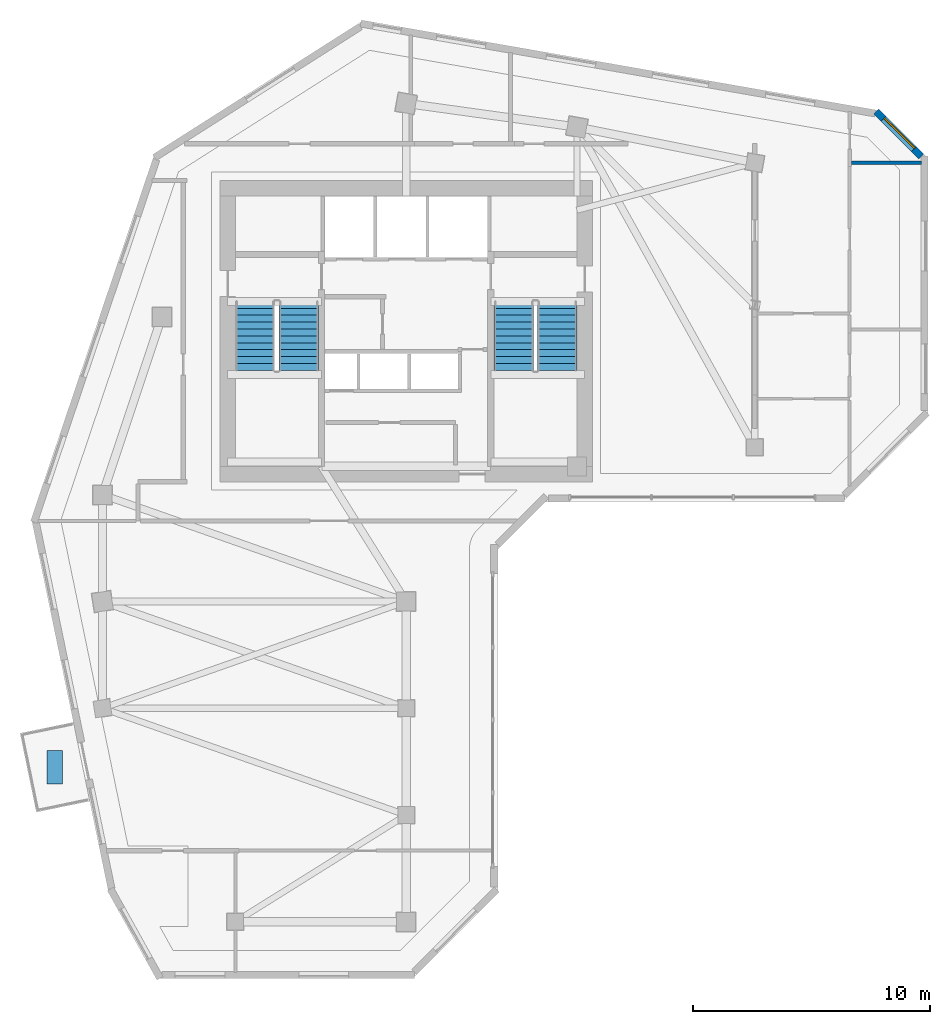
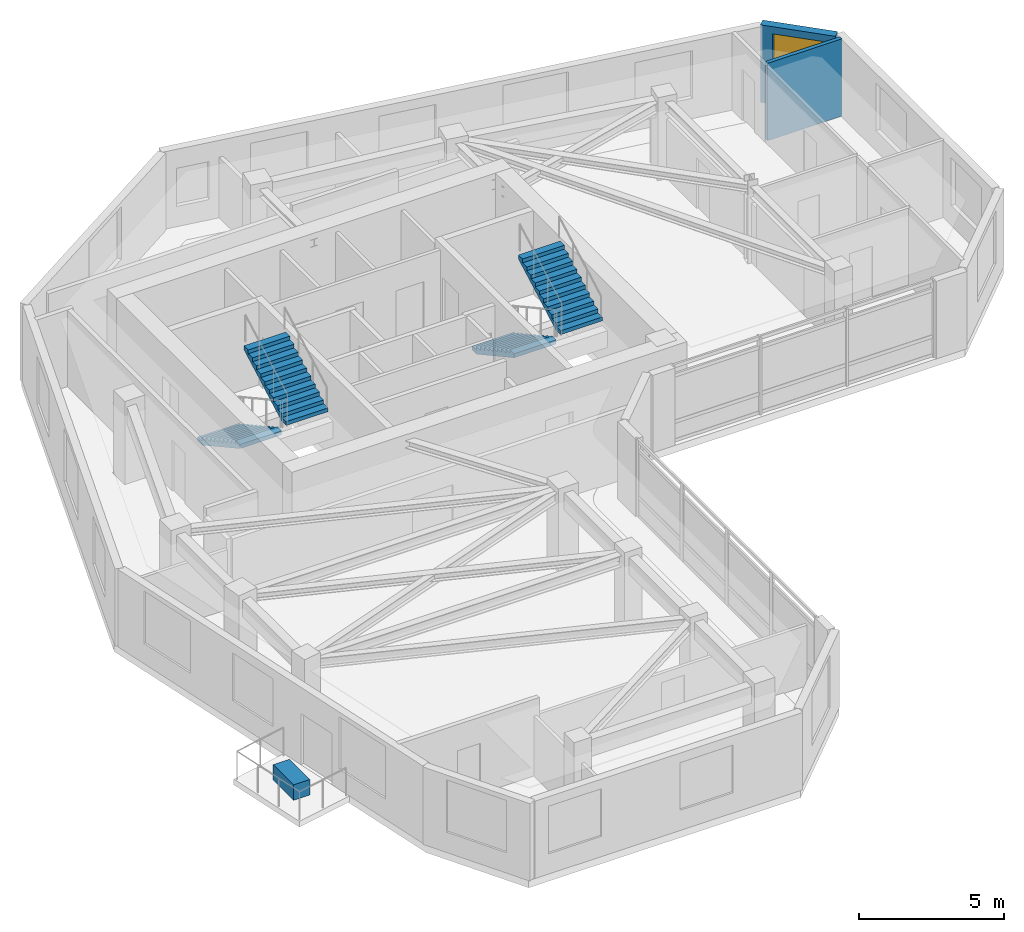
# One storey, part 6 of 9: 4 stair flights, 2 walls, 1 discrete accessory, 1 window, 1 opening, 2 elements without a shape of their own.
"""IFC4 building model written with IfcOpenShell, lengths in metres."""

from ifc_helpers import new_model, si_unit, direction, frame, frame_2d, origin, origin_2d, place, context, subcontext, project, spatial, polyline, rectangle, outline, extrude, source, transform, mapped, material, layer, layer_set, type_object, element, fill, aggregate, save


model = new_model("IFC4")

# Units and contexts
model_context = context("Model", 3, precision=1e-05, world=origin(), true_north=direction((0.0, 1.0)))
body_context = subcontext(model_context, "Body", "Model", "MODEL_VIEW")
ifc_project = project(units=[si_unit("LENGTHUNIT", "METRE"), si_unit("AREAUNIT", "SQUARE_METRE"), si_unit("VOLUMEUNIT", "CUBIC_METRE"), si_unit("PLANEANGLEUNIT", "RADIAN"), si_unit("MASSUNIT", "GRAM", prefix="KILO")], contexts=[model_context])

# Site, building, storey
site_placement = place(None, origin())
site = spatial("IfcSite", under=ifc_project, at=site_placement, CompositionType="ELEMENT")
building_placement = place(site_placement, origin())
building = spatial("IfcBuilding", under=site, at=building_placement, Name="Calvemar Wedge Station Tower", CompositionType="ELEMENT")
storey_placement = place(building_placement, frame((0.0, 0.0, 211.39990234375)))
storey = spatial("IfcBuildingStorey", under=building, at=storey_placement, Name="L53", CompositionType="ELEMENT", Elevation=211.39990234375)

# Wall, opening, window
ifc_material_1 = material(Name="Precast concrete C45", Category="concrete")
ifc_layer_1 = layer(ifc_material_1, 0.300048828125)
ifc_layer_set_1 = layer_set([ifc_layer_1], Name="Precast concrete C45")
wall_type_1 = type_object("IfcWallType", Name="W-EXT-GFRC-300", PredefinedType="SOLIDWALL", material=ifc_layer_set_1)
wall_1_placement = place(storey_placement, frame((45.511962890625, 47.267822265625, 0.0), z_axis=(0.0, 0.0, 1.0), x_axis=(-0.707106781187, 0.707106781187, 0.0)))
wall_1 = element("IfcWall", 1, at=wall_1_placement, inside=storey, type_object=wall_type_1, Name="Storey L53 Bronze GFRC Exterior Wall 9", PredefinedType="SOLIDWALL", context=body_context, shape_type="SweptSolid", body=[
    extrude(rectangle(XDim=2.673828125, YDim=0.300048828125, at=frame_2d((1.3369140625, 0.0))), origin(), (0.0, 0.0, 1.0), 3.25),
])
shared_shape_1 = source(origin(), body_context, "Body", "SweptSolid", [
    extrude(rectangle(XDim=1.800048828125, YDim=2.10009765625, at=frame_2d((0.89990234375, 1.050048828125))), frame((0.0, 0.16015625, 0.0), z_axis=(0.0, -1.0, 0.0), x_axis=(1.0, 0.0, 0.0)), (0.0, 0.0, 1.0), 0.320068359375),
])
opening_placement = place(wall_1_placement, frame((0.43701171875, 0.0, 0.85009765625)))
opening = element("IfcOpeningElement", 2, at=opening_placement, cuts=wall_1, Name="Opening W2", PredefinedType="OPENING", context=body_context, shape_type="MappedRepresentation", body=[
    mapped(shared_shape_1, transform((0.0, 0.0, 0.0), scale=1.0)),
])
ifc_material_2 = material(Name="Low-E laminated insulated glass", Category="glass")
window_type = type_object("IfcWindowType", Name="WIN-EXT-2", PartitioningType="SINGLE_PANEL", PredefinedType="WINDOW", material=ifc_material_2)
shared_shape_2 = source(origin(), body_context, "Body", "SweptSolid", [
    extrude(rectangle(XDim=1.800048828125, YDim=2.10009765625, at=frame_2d((0.89990234375, 1.050048828125))), frame((0.0, -0.014892578125, 0.0), z_axis=(0.0, -1.0, 0.0), x_axis=(1.0, 0.0, 0.0)), (0.0, 0.0, 1.0), 0.06005859375),
])
window_placement = place(opening_placement, origin())
window = element("IfcWindow", 3, at=window_placement, inside=storey, type_object=window_type, Name="Storey L53 Recessed Window 9.1", OverallHeight=2.10009765625, OverallWidth=1.800048828125, PartitioningType="SINGLE_PANEL", PredefinedType="WINDOW", context=body_context, shape_type="MappedRepresentation", body=[
    mapped(shared_shape_2, transform((0.0, 0.0, 0.0), scale=1.0)),
])
fill(opening, window)

# Wall
ifc_material_3 = material(Name="Moisture-resistant acoustic bathroom partition")
ifc_layer_2 = layer(ifc_material_3, 0.14990234375)
ifc_layer_set_2 = layer_set([ifc_layer_2], Name="Moisture-resistant acoustic bathroom partition")
wall_type_2 = type_object("IfcWallType", Name="W-WET-150", PredefinedType="PARTITIONING", material=ifc_layer_set_2)
wall_2_placement = place(storey_placement, frame((45.534912109375, 46.9990234375, 0.0), z_axis=(0.0, 0.0, 1.0), x_axis=(-1.0, 0.0, 0.0)))
element("IfcWall", 4, at=wall_2_placement, inside=storey, type_object=wall_type_2, Name="Storey L53 Interior Partition WL-L53-027", PredefinedType="PARTITIONING", context=body_context, shape_type="SweptSolid", body=[
    extrude(rectangle(XDim=2.955810546875, YDim=0.14990234375, at=frame_2d((1.47802734375, 0.0))), origin(), (0.0, 0.0, 1.0), 3.25),
])

# Stair, stair flights
ifc_material_4 = material(Name="Concrete C45", Category="concrete")
stair_type = type_object("IfcStairType", Name="ST-TYPE-3500", PredefinedType="HALF_TURN_STAIR", material=ifc_material_4)
stair_1_placement = place(storey_placement, origin())
stair_1 = element("IfcStair", 5, at=stair_1_placement, inside=storey, type_object=stair_type, Name="L53 Pressurized Core Exit Stair ST-C1", PredefinedType="HALF_TURN_STAIR")
stair_flight_type = type_object("IfcStairFlightType", Name="STF-TYPE-3500", PredefinedType="STRAIGHT", material=ifc_material_4)
stair_flight_1_placement = place(storey_placement, frame((17.429931640625, 41.14990234375, 0.0), z_axis=(0.0, 0.0, 1.0), x_axis=(0.0, -1.0, 0.0)))
stair_flight_1 = element("IfcStairFlight", 6, at=stair_flight_1_placement, type_object=stair_flight_type, Name="ST-C1 flight 1", NumberOfRisers=11, NumberOfTreads=10, PredefinedType="STRAIGHT", RiserHeight=0.159090909, TreadLength=0.29, context=body_context, shape_type="SweptSolid", body=[
    extrude(outline(polyline([(0.0, 0.0), (0.0, 0.1591796875), (0.2900390625, 0.1591796875), (0.2900390625, 0.318115234375), (0.580078125, 0.318115234375), (0.580078125, 0.477294921875), (0.8701171875, 0.477294921875), (0.8701171875, 0.636474609375), (1.159912109375, 0.636474609375), (1.159912109375, 0.79541015625), (1.449951171875, 0.79541015625), (1.449951171875, 0.95458984375), (1.739990234375, 0.95458984375), (1.739990234375, 1.113525390625), (2.030029296875, 1.113525390625), (2.030029296875, 1.272705078125), (2.320068359375, 1.272705078125), (2.320068359375, 1.431884765625), (2.610107421875, 1.431884765625), (2.610107421875, 1.5908203125), (2.89990234375, 1.5908203125), (2.89990234375, 1.75), (2.89990234375, 1.419921875), (0.311767578125, 0.0), (0.0, 0.0)])), frame((0.0, 0.830078125, 0.0), z_axis=(0.0, -1.0, 0.0), x_axis=(1.0, 0.0, 0.0)), (0.0, 0.0, 1.0), 1.659912109375),
])
stair_flight_2_placement = place(storey_placement, frame((19.27001953125, 38.25, 1.75), z_axis=(0.0, 0.0, 1.0), x_axis=(0.0, 1.0, 0.0)))
stair_flight_2 = element("IfcStairFlight", 7, at=stair_flight_2_placement, type_object=stair_flight_type, Name="ST-C1 flight 2", NumberOfRisers=11, NumberOfTreads=10, PredefinedType="STRAIGHT", RiserHeight=0.159090909, TreadLength=0.29, context=body_context, shape_type="SweptSolid", body=[
    extrude(outline(polyline([(0.0, 0.0), (0.0, 0.1591796875), (0.2900390625, 0.1591796875), (0.2900390625, 0.318115234375), (0.580078125, 0.318115234375), (0.580078125, 0.477294921875), (0.8701171875, 0.477294921875), (0.8701171875, 0.636474609375), (1.159912109375, 0.636474609375), (1.159912109375, 0.79541015625), (1.449951171875, 0.79541015625), (1.449951171875, 0.95458984375), (1.739990234375, 0.95458984375), (1.739990234375, 1.113525390625), (2.030029296875, 1.113525390625), (2.030029296875, 1.272705078125), (2.320068359375, 1.272705078125), (2.320068359375, 1.431884765625), (2.610107421875, 1.431884765625), (2.610107421875, 1.5908203125), (2.89990234375, 1.5908203125), (2.89990234375, 1.75), (2.89990234375, 1.419921875), (0.311767578125, 0.0), (0.0, 0.0)])), frame((0.0, 0.830078125, 0.0), z_axis=(0.0, -1.0, 0.0), x_axis=(1.0, 0.0, 0.0)), (0.0, 0.0, 1.0), 1.659912109375),
])
aggregate(stair_1, [stair_flight_1, stair_flight_2])

stair_2_placement = place(storey_placement, origin())
stair_2 = element("IfcStair", 8, at=stair_2_placement, inside=storey, type_object=stair_type, Name="L53 Pressurized Core Exit Stair ST-C2", PredefinedType="HALF_TURN_STAIR")
stair_flight_3_placement = place(storey_placement, frame((28.330078125, 41.14990234375, 0.0), z_axis=(0.0, 0.0, 1.0), x_axis=(0.0, -1.0, 0.0)))
stair_flight_3 = element("IfcStairFlight", 9, at=stair_flight_3_placement, type_object=stair_flight_type, Name="ST-C2 flight 1", NumberOfRisers=11, NumberOfTreads=10, PredefinedType="STRAIGHT", RiserHeight=0.159090909, TreadLength=0.29, context=body_context, shape_type="SweptSolid", body=[
    extrude(outline(polyline([(0.0, 0.0), (0.0, 0.1591796875), (0.2900390625, 0.1591796875), (0.2900390625, 0.318115234375), (0.580078125, 0.318115234375), (0.580078125, 0.477294921875), (0.8701171875, 0.477294921875), (0.8701171875, 0.636474609375), (1.159912109375, 0.636474609375), (1.159912109375, 0.79541015625), (1.449951171875, 0.79541015625), (1.449951171875, 0.95458984375), (1.739990234375, 0.95458984375), (1.739990234375, 1.113525390625), (2.030029296875, 1.113525390625), (2.030029296875, 1.272705078125), (2.320068359375, 1.272705078125), (2.320068359375, 1.431884765625), (2.610107421875, 1.431884765625), (2.610107421875, 1.5908203125), (2.89990234375, 1.5908203125), (2.89990234375, 1.75), (2.89990234375, 1.419921875), (0.311767578125, 0.0), (0.0, 0.0)])), frame((0.0, 0.830078125, 0.0), z_axis=(0.0, -1.0, 0.0), x_axis=(1.0, 0.0, 0.0)), (0.0, 0.0, 1.0), 1.659912109375),
])
stair_flight_4_placement = place(storey_placement, frame((30.169921875, 38.25, 1.75), z_axis=(0.0, 0.0, 1.0), x_axis=(0.0, 1.0, 0.0)))
stair_flight_4 = element("IfcStairFlight", 10, at=stair_flight_4_placement, type_object=stair_flight_type, Name="ST-C2 flight 2", NumberOfRisers=11, NumberOfTreads=10, PredefinedType="STRAIGHT", RiserHeight=0.159090909, TreadLength=0.29, context=body_context, shape_type="SweptSolid", body=[
    extrude(outline(polyline([(0.0, 0.0), (0.0, 0.1591796875), (0.2900390625, 0.1591796875), (0.2900390625, 0.318115234375), (0.580078125, 0.318115234375), (0.580078125, 0.477294921875), (0.8701171875, 0.477294921875), (0.8701171875, 0.636474609375), (1.159912109375, 0.636474609375), (1.159912109375, 0.79541015625), (1.449951171875, 0.79541015625), (1.449951171875, 0.95458984375), (1.739990234375, 0.95458984375), (1.739990234375, 1.113525390625), (2.030029296875, 1.113525390625), (2.030029296875, 1.272705078125), (2.320068359375, 1.272705078125), (2.320068359375, 1.431884765625), (2.610107421875, 1.431884765625), (2.610107421875, 1.5908203125), (2.89990234375, 1.5908203125), (2.89990234375, 1.75), (2.89990234375, 1.419921875), (0.311767578125, 0.0), (0.0, 0.0)])), frame((0.0, 0.830078125, 0.0), z_axis=(0.0, -1.0, 0.0), x_axis=(1.0, 0.0, 0.0)), (0.0, 0.0, 1.0), 1.659912109375),
])
aggregate(stair_2, [stair_flight_3, stair_flight_4])

# Discrete accessory
discrete_accessory_type = type_object("IfcDiscreteAccessoryType", Name="ACC-PLANTER", PredefinedType="USERDEFINED", material=ifc_material_1)
shared_shape_3 = source(origin(), body_context, "Body", "SweptSolid", [
    extrude(rectangle(XDim=0.64990234375, YDim=1.39990234375, at=origin_2d()), origin(), (0.0, 0.0, 1.0), 0.64990234375),
])
discrete_accessory_placement = place(storey_placement, frame((8.991943359375, 21.51708984375, 0.000244140625), z_axis=(0.0, 0.0, 1.0), x_axis=(1.0, 0.0, 0.0)))
element("IfcDiscreteAccessory", 11, at=discrete_accessory_placement, inside=storey, type_object=discrete_accessory_type, Name="Storey L53 Planted Terrace GFRC Planter", ObjectType="PLANTER", PredefinedType="USERDEFINED", context=body_context, shape_type="MappedRepresentation", body=[
    mapped(shared_shape_3, transform((0.0, 0.0, 0.0), scale=1.0)),
])

save(model, "model.ifc")
